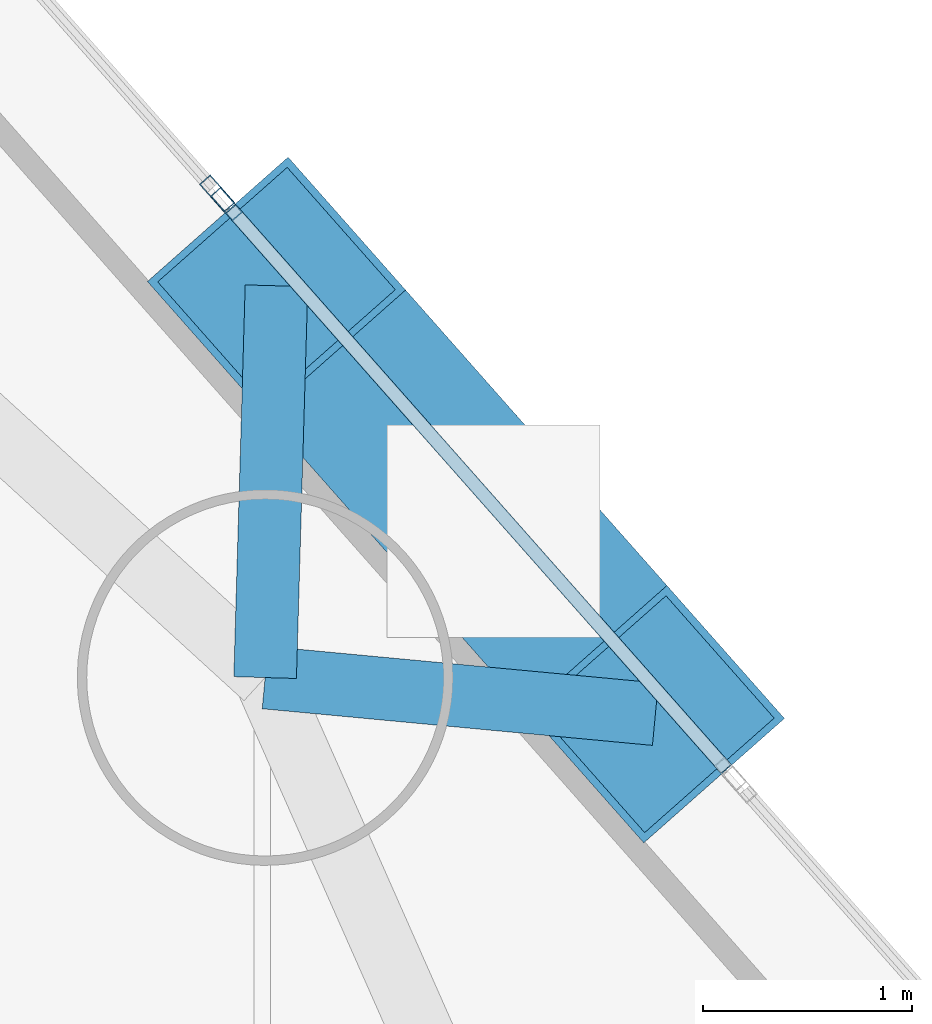
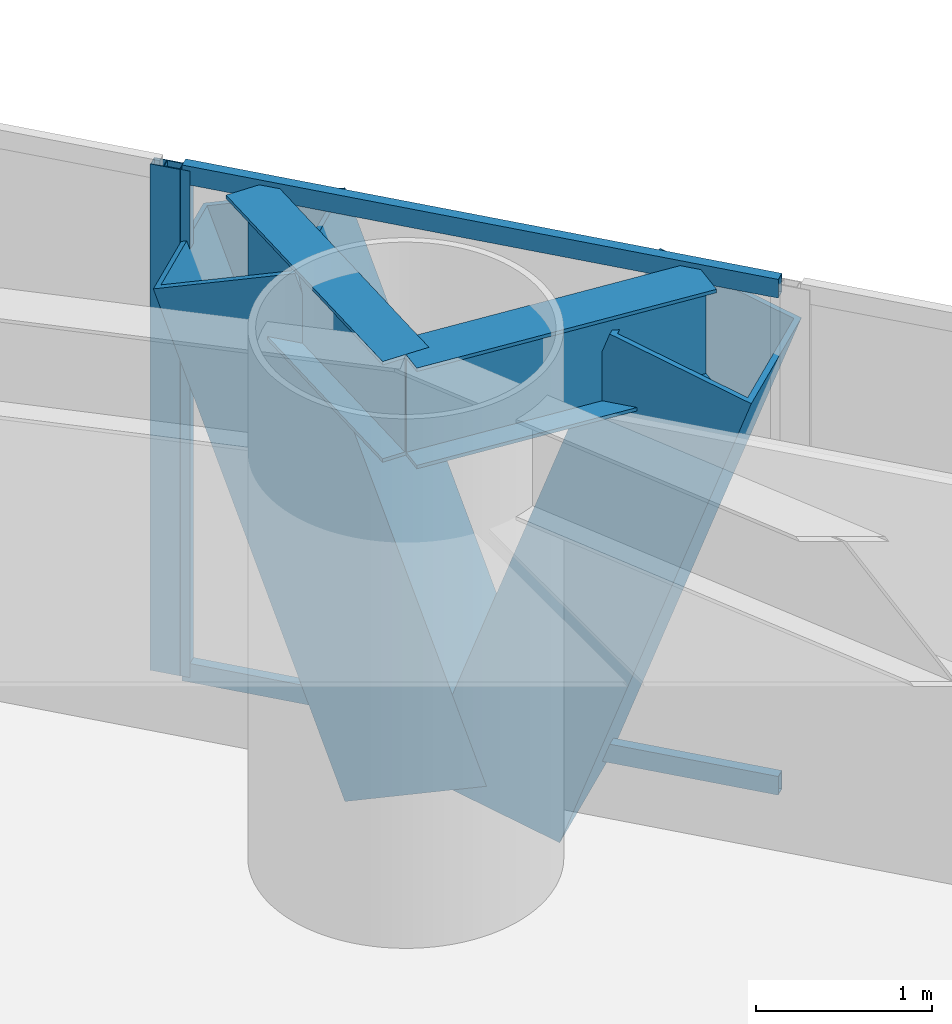
# One storey, part 10 of 22: 6 members, 2 beams, 2 elements without a shape of their own.
"""IFC4 building model written with IfcOpenShell, lengths in metres."""

from ifc_helpers import new_model, si_unit, direction, frame, origin, origin_2d, place, context, subcontext, project, spatial, hollow_rectangle, i_section, extrude, material, layer, layer_set, material_profile, profile_set, type_object, element, aggregate, save


model = new_model("IFC4")

# Units and contexts
model_context = context("Model", 3, precision=1e-05, world=origin(), true_north=direction((0.0, 1.0)))
body_context = subcontext(model_context, "Body", "Model", "MODEL_VIEW")
ifc_project = project(units=[si_unit("LENGTHUNIT", "METRE"), si_unit("AREAUNIT", "SQUARE_METRE"), si_unit("VOLUMEUNIT", "CUBIC_METRE"), si_unit("PLANEANGLEUNIT", "RADIAN"), si_unit("MASSUNIT", "GRAM", prefix="KILO")], contexts=[model_context])

# Site, building, storey
site_placement = place(None, origin())
site = spatial("IfcSite", under=ifc_project, at=site_placement, CompositionType="ELEMENT")
building_placement = place(site_placement, origin())
building = spatial("IfcBuilding", under=site, at=building_placement, Name="Qianvela Tower", CompositionType="ELEMENT")
storey_placement = place(building_placement, frame((0.0, 0.0, 40.5)))
storey = spatial("IfcBuildingStorey", under=building, at=storey_placement, Name="L09", CompositionType="ELEMENT", Elevation=40.5)

# Beams
ifc_material_1 = material(Name="Steel Q355B", Category="steel")
ifc_material_profile_1 = material_profile(ifc_material_1, i_section(OverallWidth=0.300048828125, OverallDepth=0.699951171875, WebThickness=0.012939453125, FlangeThickness=0.02392578125, at=origin_2d()), Name="HN700x300x13x24")
ifc_profile_set_1 = profile_set([ifc_material_profile_1], Name="Steel Q355B")
beam_type = type_object("IfcBeamType", Name="BM-HN700-SPAND", PredefinedType="SPANDREL", material=ifc_profile_set_1)
for number, where, z_axis, x_axis, name in (
    (1, (47.736083984375, 32.636962890625, 3.16796875), (0.995622515016, -0.093465542277, 0.0), (0.093465542277, 0.995622515016, 0.0), "L09 Mega-Brace Column Tie Bracket F1-1"),
    (2, (47.736083984375, 32.636962890625, 3.16796875), (0.028986514435, 0.999579802708, 0.0), (-0.999579802708, 0.028986514435, 0.0), "L09 Mega-Brace Column Tie Bracket F1-2"),
):
    element("IfcBeam", number, at=place(storey_placement, frame(where, z_axis=z_axis, x_axis=x_axis)), inside=storey, type_object=beam_type, Name=name, PredefinedType="SPANDREL", context=body_context, shape_type="SweptSolid", body=[
        extrude(i_section(OverallWidth=0.300048828125, OverallDepth=0.699951171875, WebThickness=0.012939453125, FlangeThickness=0.02392578125, at=origin_2d()), origin(), (0.0, 0.0, 1.0), 1.878173828125),
    ])

# Curtain wall, members
ifc_material_2 = material(Name="Anodised Architectural Aluminium and Insulated Spandrel Panel", Category="aluminium")
ifc_layer_1 = layer(ifc_material_2, 0.179931640625)
ifc_layer_set_1 = layer_set([ifc_layer_1], Name="Anodised Architectural Aluminium and Insulated Spandrel Panel")
curtain_wall_type_1 = type_object("IfcCurtainWallType", Name="CW-BRACEBAY", PredefinedType="USERDEFINED", material=ifc_layer_set_1)
curtain_wall_1_placement = place(storey_placement, origin())
curtain_wall_1 = element("IfcCurtainWall", 3, at=curtain_wall_1_placement, inside=storey, type_object=curtain_wall_type_1, Name="L09 CW-BRACEBAY Curtain Wall 02B", ObjectType="CURTAIN_WALL_SYSTEM", PredefinedType="USERDEFINED")
ifc_material_3 = material(Name="Anodised Architectural Aluminium 6063-T6", Category="aluminium")
ifc_material_profile_2 = material_profile(ifc_material_3, hollow_rectangle(XDim=0.06494140625, YDim=0.159912109375, WallThickness=0.0048828125, at=origin_2d()), Name="ALU-MULL-65x160")
ifc_profile_set_2 = profile_set([ifc_material_profile_2], Name="Anodised Architectural Aluminium 6063-T6")
member_type_1 = type_object("IfcMemberType", Name="CW-BRACEBAY-MULL", PredefinedType="MULLION", material=ifc_profile_set_2)
member_1_placement = place(storey_placement, frame((47.551025390625, 34.90576171875, 0.0), z_axis=(0.0, 0.0, 1.0), x_axis=(-0.749094821049, -0.662462790711, 0.0)))
member_1 = element("IfcMember", 4, at=member_1_placement, type_object=member_type_1, Name="CW-9 mullion 2", PredefinedType="MULLION", context=body_context, shape_type="SweptSolid", body=[
    extrude(hollow_rectangle(XDim=0.06494140625, YDim=0.159912109375, WallThickness=0.0048828125, at=origin_2d()), origin(), (0.0, 0.0, 1.0), 3.52001953125),
])
ifc_material_4 = material(Name="Anodised Architectural Aluminium 6063-T6", Category="aluminium")
ifc_material_profile_3 = material_profile(ifc_material_4, hollow_rectangle(XDim=0.06494140625, YDim=0.1298828125, WallThickness=0.00439453125, at=origin_2d()), Name="ALU-TRAN-65x130")
ifc_profile_set_3 = profile_set([ifc_material_profile_3], Name="Anodised Architectural Aluminium 6063-T6")
member_type_2 = type_object("IfcMemberType", Name="CW-BRACEBAY-TRAN", PredefinedType="USERDEFINED", material=ifc_profile_set_3)
member_2_placement = place(storey_placement, frame((49.9443359375, 32.19970703125, 0.032470703125), z_axis=(-0.662473815062, 0.749085071509, 0.0), x_axis=(-0.749085071509, -0.662473815062, 0.0)))
member_2 = element("IfcMember", 5, at=member_2_placement, type_object=member_type_2, Name="CW-9 transom 1.1", ObjectType="TRANSOM", PredefinedType="USERDEFINED", context=body_context, shape_type="SweptSolid", body=[
    extrude(hollow_rectangle(XDim=0.06494140625, YDim=0.1298828125, WallThickness=0.00439453125, at=origin_2d()), origin(), (0.0, 0.0, 1.0), 3.579833984375),
])
member_3_placement = place(storey_placement, frame((49.9443359375, 32.19970703125, 3.487548828125), z_axis=(-0.662473815062, 0.749085071509, 0.0), x_axis=(-0.749085071509, -0.662473815062, 0.0)))
member_3 = element("IfcMember", 6, at=member_3_placement, type_object=member_type_2, Name="CW-9 transom 1.2", ObjectType="TRANSOM", PredefinedType="USERDEFINED", context=body_context, shape_type="SweptSolid", body=[
    extrude(hollow_rectangle(XDim=0.06494140625, YDim=0.1298828125, WallThickness=0.00439453125, at=origin_2d()), origin(), (0.0, 0.0, 1.0), 3.579833984375),
])
aggregate(curtain_wall_1, [member_1, member_2, member_3])

# Curtain wall, member
ifc_material_5 = material(Name="Anodised Architectural Aluminium and Low-E Glass", Category="aluminium")
ifc_layer_2 = layer(ifc_material_5, 0.179931640625)
ifc_layer_set_2 = layer_set([ifc_layer_2], Name="Anodised Architectural Aluminium and Low-E Glass")
curtain_wall_type_2 = type_object("IfcCurtainWallType", Name="CW-COLIV-Z12", PredefinedType="USERDEFINED", material=ifc_layer_set_2)
curtain_wall_2_placement = place(storey_placement, origin())
curtain_wall_2 = element("IfcCurtainWall", 7, at=curtain_wall_2_placement, inside=storey, type_object=curtain_wall_type_2, Name="L09 CW-COLIV-Z12 Curtain Wall 02C", ObjectType="CURTAIN_WALL_SYSTEM", PredefinedType="USERDEFINED")
ifc_material_6 = material(Name="Anodised Architectural Aluminium 6063-T6", Category="aluminium")
ifc_material_profile_4 = material_profile(ifc_material_6, hollow_rectangle(XDim=0.070068359375, YDim=0.179931640625, WallThickness=0.0048828125, at=origin_2d()), Name="ALU-MULL-70x180")
ifc_profile_set_4 = profile_set([ifc_material_profile_4], Name="Anodised Architectural Aluminium 6063-T6")
member_type_3 = type_object("IfcMemberType", Name="CW-COLIV-Z12-MULL", PredefinedType="MULLION", material=ifc_profile_set_4)
member_4_placement = place(storey_placement, frame((47.50634765625, 34.956298828125, 0.0), z_axis=(0.0, 0.0, 1.0), x_axis=(-0.749108589555, -0.662447221335, 0.0)))
member_4 = element("IfcMember", 8, at=member_4_placement, type_object=member_type_3, Name="CW-3 mullion 1", PredefinedType="MULLION", context=body_context, shape_type="SweptSolid", body=[
    extrude(hollow_rectangle(XDim=0.070068359375, YDim=0.179931640625, WallThickness=0.0048828125, at=origin_2d()), origin(), (0.0, 0.0, 1.0), 3.52001953125),
])
aggregate(curtain_wall_2, [member_4])

# Members
ifc_material_7 = material(Name="Steel Q420GJC", Category="steel")
ifc_material_profile_5 = material_profile(ifc_material_7, hollow_rectangle(XDim=0.89990234375, YDim=0.89990234375, WallThickness=0.035888671875, at=origin_2d()), Name="MBOX-900x900x36")
ifc_profile_set_5 = profile_set([ifc_material_profile_5], Name="Steel Q420GJC")
member_type_4 = type_object("IfcMemberType", Name="MBR-MBRACE-900", PredefinedType="BRACE", material=ifc_profile_set_5)
for number, where, z_axis, x_axis, name in (
    (9, (48.843994140625, 33.322998046875, -0.139892578125), (0.217571929561, -0.246014527209, 0.944531263574), (0.749081638293, 0.662477697113, 0.0), "L09 Tier 1 Exterior Mega-Brace F1A"),
    (10, (48.552490234375, 33.652587890625, -0.139892578125), (-0.21756819772, 0.246080018568, 0.944515062771), (-0.749174774048, -0.662372371049, 0.0), "L09 Tier 1 Exterior Mega-Brace F1B"),
):
    element("IfcMember", number, at=place(storey_placement, frame(where, z_axis=z_axis, x_axis=x_axis)), inside=storey, type_object=member_type_4, Name=name, PredefinedType="BRACE", context=body_context, shape_type="SweptSolid", body=[
        extrude(hollow_rectangle(XDim=0.89990234375, YDim=0.89990234375, WallThickness=0.035888671875, at=origin_2d()), origin(), (0.0, 0.0, 1.0), 3.502197265625),
    ])

save(model, "model.ifc")
